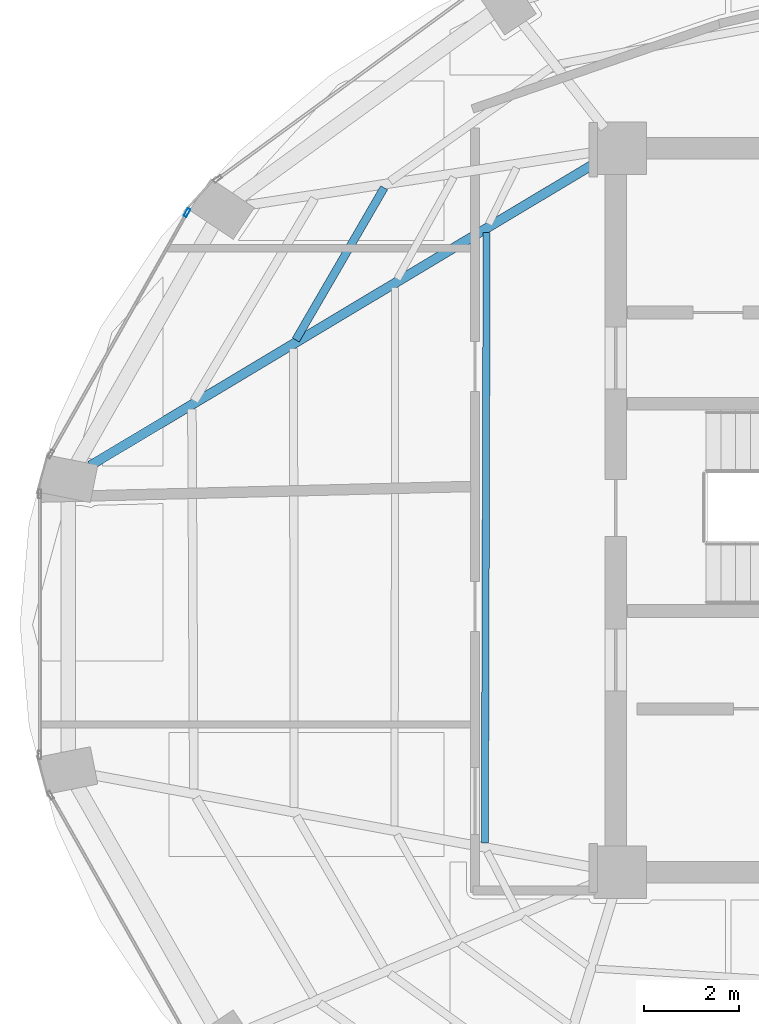
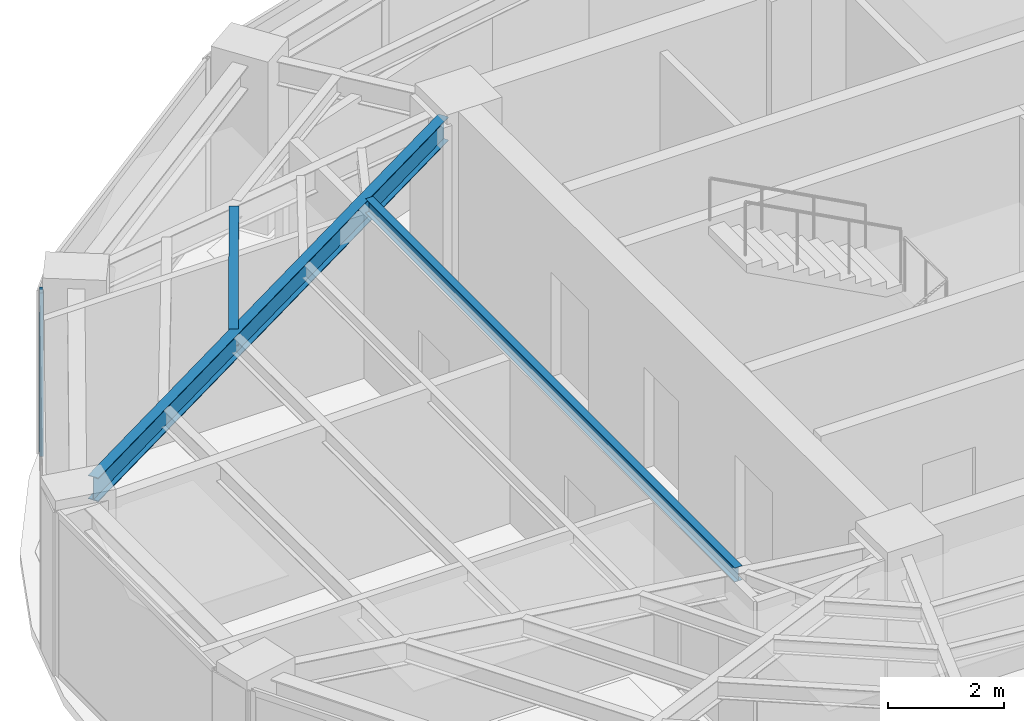
# One storey, part 9 of 23: 3 beams, 1 member, 1 element without a shape of its own.
"""IFC4 building model written with IfcOpenShell, lengths in metres."""

from ifc_helpers import new_model, si_unit, direction, frame, origin, origin_2d, place, context, subcontext, project, spatial, hollow_rectangle, i_section, extrude, material, layer, layer_set, material_profile, profile_set, type_object, element, aggregate, save


model = new_model("IFC4")

# Units and contexts
model_context = context("Model", 3, precision=1e-05, world=origin(), true_north=direction((0.0, 1.0)))
body_context = subcontext(model_context, "Body", "Model", "MODEL_VIEW")
ifc_project = project(units=[si_unit("LENGTHUNIT", "METRE"), si_unit("AREAUNIT", "SQUARE_METRE"), si_unit("VOLUMEUNIT", "CUBIC_METRE"), si_unit("PLANEANGLEUNIT", "RADIAN"), si_unit("MASSUNIT", "GRAM", prefix="KILO")], contexts=[model_context])

# Site, building, storey
site_placement = place(None, origin())
site = spatial("IfcSite", under=ifc_project, at=site_placement, CompositionType="ELEMENT")
building_placement = place(site_placement, origin())
building = spatial("IfcBuilding", under=site, at=building_placement, Name="Lazwardi Medical Tower", CompositionType="ELEMENT")
storey_placement = place(building_placement, frame((0.0, 0.0, 231.31201171875)))
storey = spatial("IfcBuildingStorey", under=building, at=storey_placement, Name="L60", CompositionType="ELEMENT", Elevation=231.31201171875)

# Beams
ifc_material_1 = material(Name="Steel S355", Category="steel")
ifc_material_profile_1 = material_profile(ifc_material_1, i_section(OverallWidth=0.199951171875, OverallDepth=0.5, WebThickness=0.01025390625, FlangeThickness=0.01611328125, at=origin_2d()), Name="IPE 500")
ifc_profile_set_1 = profile_set([ifc_material_profile_1], Name="Steel S355")
beam_type_1 = type_object("IfcBeamType", Name="BM-RG-W3", PredefinedType="BEAM", material=ifc_profile_set_1)
beam_1_placement = place(storey_placement, frame((15.27392578125, 28.937744140625, 3.197998046875), z_axis=(0.857944804603, 0.513741873176, 0.0), x_axis=(-0.513741873176, 0.857944804603, 0.0)))
element("IfcBeam", 1, at=beam_1_placement, inside=storey, type_object=beam_type_1, Name="Radial girder RG-04 R12 L60", PredefinedType="BEAM", context=body_context, shape_type="SweptSolid", body=[
    extrude(i_section(OverallWidth=0.199951171875, OverallDepth=0.5, WebThickness=0.01025390625, FlangeThickness=0.01611328125, at=origin_2d()), origin(), (0.0, 0.0, 1.0), 12.43310546875),
])
ifc_material_profile_2 = material_profile(ifc_material_1, i_section(OverallWidth=0.169921875, OverallDepth=0.360107421875, WebThickness=0.008056640625, FlangeThickness=0.0126953125, at=origin_2d()), Name="IPE 360")
ifc_profile_set_2 = profile_set([ifc_material_profile_2], Name="Steel S355")
beam_type_2 = type_object("IfcBeamType", Name="BM-SJ-02", PredefinedType="JOIST", material=ifc_profile_set_2)
beam_2_placement = place(storey_placement, frame((21.4423828125, 34.767578125, 3.26806640625), z_axis=(-0.50218018565, -0.864763008657, 0.0), x_axis=(0.864763008657, -0.50218018565, 0.0)))
element("IfcBeam", 2, at=beam_2_placement, inside=storey, type_object=beam_type_2, Name="Secondary joist SJ-02 R2 B11 L60", PredefinedType="JOIST", context=body_context, shape_type="SweptSolid", body=[
    extrude(i_section(OverallWidth=0.169921875, OverallDepth=0.360107421875, WebThickness=0.008056640625, FlangeThickness=0.0126953125, at=origin_2d()), origin(), (0.0, 0.0, 1.0), 3.69189453125),
])
ifc_material_profile_3 = material_profile(ifc_material_1, i_section(OverallWidth=0.14990234375, OverallDepth=0.300048828125, WebThickness=0.007080078125, FlangeThickness=0.0107421875, at=origin_2d()), Name="IPE 300")
ifc_profile_set_3 = profile_set([ifc_material_profile_3], Name="Steel S355")
beam_type_3 = type_object("IfcBeamType", Name="BM-SJ-03", PredefinedType="JOIST", material=ifc_profile_set_3)
beam_3_placement = place(storey_placement, frame((23.593994140625, 33.824951171875, 3.298095703125), z_axis=(-0.002897930673, -0.99999580099, 0.0), x_axis=(0.99999580099, -0.002897930673, 0.0)))
element("IfcBeam", 3, at=beam_3_placement, inside=storey, type_object=beam_type_3, Name="Secondary joist SJ-03 R4 B12 L60", PredefinedType="JOIST", context=body_context, shape_type="SweptSolid", body=[
    extrude(i_section(OverallWidth=0.14990234375, OverallDepth=0.300048828125, WebThickness=0.007080078125, FlangeThickness=0.0107421875, at=origin_2d()), origin(), (0.0, 0.0, 1.0), 12.805419921875),
])

# Curtain wall, member
ifc_material_2 = material(Name="Anodised bronze aluminium and solar control glazing", Category="aluminium")
ifc_layer = layer(ifc_material_2, 0.18994140625)
ifc_layer_set = layer_set([ifc_layer], Name="Anodised bronze aluminium and solar control glazing")
curtain_wall_type = type_object("IfcCurtainWallType", Name="CW-SYS-04", PredefinedType="NOTDEFINED", material=ifc_layer_set)
curtain_wall_placement = place(storey_placement, origin())
curtain_wall = element("IfcCurtainWall", 4, at=curtain_wall_placement, inside=storey, type_object=curtain_wall_type, Name="L60 Unitised bronze curtain wall CW-04", PredefinedType="NOTDEFINED")
ifc_material_3 = material(Name="Anodised bronze aluminium", Category="aluminium")
ifc_material_profile_4 = material_profile(ifc_material_3, hollow_rectangle(XDim=0.06494140625, YDim=0.179931640625, WallThickness=0.00390625, at=origin_2d()), Name="ALU-MULLION 180x65x4")
ifc_profile_set_4 = profile_set([ifc_material_profile_4], Name="Anodised bronze aluminium")
member_type = type_object("IfcMemberType", Name="CW-MUL-03", PredefinedType="MULLION", material=ifc_profile_set_4)
member_placement = place(storey_placement, frame((17.3056640625, 34.24560546875, 0.0), z_axis=(0.0, 0.0, 1.0), x_axis=(0.870651436011, -0.491900474661, 0.0)))
member = element("IfcMember", 5, at=member_placement, type_object=member_type, Name="CW-04 mullion 1", PredefinedType="MULLION", context=body_context, shape_type="SweptSolid", body=[
    extrude(hollow_rectangle(XDim=0.06494140625, YDim=0.179931640625, WallThickness=0.00390625, at=origin_2d()), origin(), (0.0, 0.0, 1.0), 3.447998046875),
])
aggregate(curtain_wall, [member])

save(model, "model.ifc")
